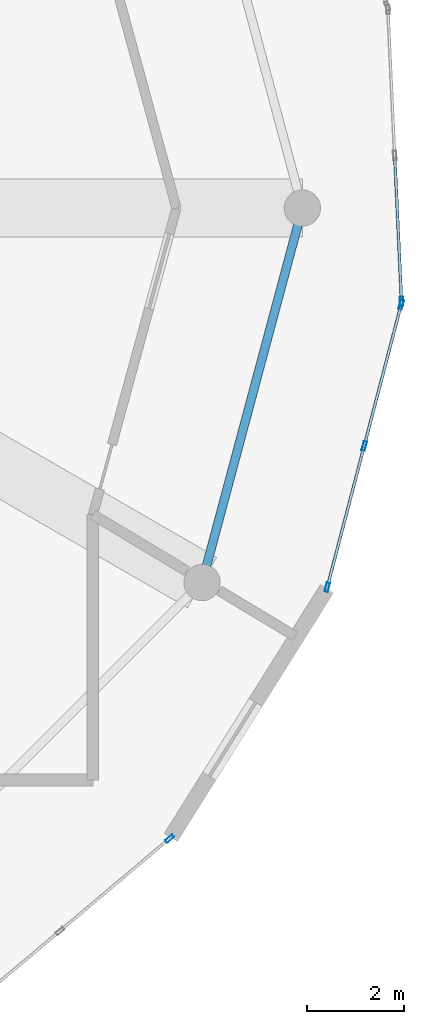
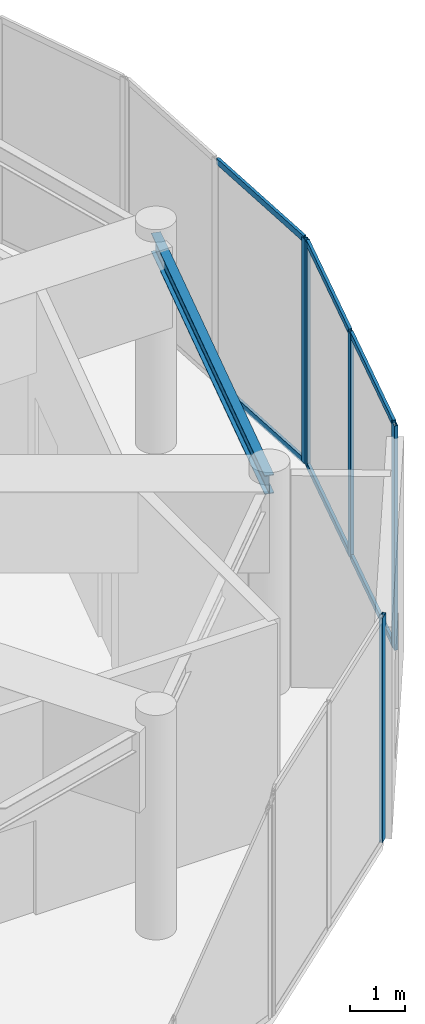
# One storey, part 12 of 20: 11 members, 1 beam, 3 elements without a shape of their own.
"""IFC4 building model written with IfcOpenShell, lengths in metres."""

from ifc_helpers import new_model, si_unit, direction, frame, origin, origin_2d, place, context, subcontext, project, spatial, hollow_rectangle, i_section, extrude, source, transform, mapped, material, layer, layer_set, material_profile, profile_set, type_object, element, aggregate, save


model = new_model("IFC4")

# Units and contexts
model_context = context("Model", 3, precision=1e-05, world=origin(), true_north=direction((0.0, 1.0)))
body_context = subcontext(model_context, "Body", "Model", "MODEL_VIEW")
ifc_project = project(units=[si_unit("LENGTHUNIT", "METRE"), si_unit("AREAUNIT", "SQUARE_METRE"), si_unit("VOLUMEUNIT", "CUBIC_METRE"), si_unit("PLANEANGLEUNIT", "RADIAN"), si_unit("MASSUNIT", "GRAM", prefix="KILO")], contexts=[model_context])

# Site, building, storey
site_placement = place(None, origin())
site = spatial("IfcSite", under=ifc_project, at=site_placement, CompositionType="ELEMENT")
building_placement = place(site_placement, origin())
building = spatial("IfcBuilding", under=site, at=building_placement, Name="Solvirekh Grand Hotel", CompositionType="ELEMENT")
storey_placement = place(building_placement, frame((0.0, 0.0, 297.199951171875)))
storey = spatial("IfcBuildingStorey", under=building, at=storey_placement, Name="L77", CompositionType="ELEMENT", Elevation=297.199951171875)

# Beam
ifc_material_1 = material(Name="Steel S355", Category="steel")
ifc_material_profile_1 = material_profile(ifc_material_1, i_section(OverallWidth=0.180908203125, OverallDepth=0.4169921875, WebThickness=0.010009765625, FlangeThickness=0.01611328125, FilletRadius=0.011962890625, at=origin_2d()), Name="W410X85")
ifc_profile_set_1 = profile_set([ifc_material_profile_1], Name="Steel S355")
beam_type = type_object("IfcBeamType", Name="Spandrel_Ring_W410", PredefinedType="SPANDREL", material=ifc_profile_set_1)
beam_placement = place(storey_placement, frame((13.3798828125, -7.72509765625, 4.470947265625), z_axis=(0.258834757072, 0.965921616143, 0.0), x_axis=(-0.965921616143, 0.258834757072, 0.0)))
element("IfcBeam", 1, at=beam_placement, inside=storey, type_object=beam_type, Name="L77 perimeter spandrel beam 12", PredefinedType="SPANDREL", context=body_context, shape_type="SweptSolid", body=[
    extrude(i_section(OverallWidth=0.180908203125, OverallDepth=0.4169921875, WebThickness=0.010009765625, FlangeThickness=0.01611328125, FilletRadius=0.011962890625, at=origin_2d()), origin(), (0.0, 0.0, 1.0), 7.99755859375),
])

# Curtain wall, member
ifc_material_2 = material(Name="Anodized Bronze Aluminium 6063-T6", Category="aluminium")
ifc_layer = layer(ifc_material_2, 0.18994140625)
ifc_layer_set = layer_set([ifc_layer], Name="Anodized Bronze Aluminium 6063-T6")
curtain_wall_type = type_object("IfcCurtainWallType", Name="CW_Sys5_SkyLobbyPanoramaCW", PredefinedType="NOTDEFINED", material=ifc_layer_set)
curtain_wall_1_placement = place(storey_placement, origin())
curtain_wall_1 = element("IfcCurtainWall", 2, at=curtain_wall_1_placement, inside=storey, type_object=curtain_wall_type, Name="L77 unitised bronze-glass curtain wall CW-L77-C03", PredefinedType="NOTDEFINED")
ifc_material_profile_2 = material_profile(ifc_material_2, hollow_rectangle(XDim=0.070068359375, YDim=0.18994140625, WallThickness=0.0048828125, at=origin_2d()), Name="ALU RHS 190X70X5")
ifc_profile_set_2 = profile_set([ifc_material_profile_2], Name="Anodized Bronze Aluminium 6063-T6")
member_type_1 = type_object("IfcMemberType", Name="CWMullion_Sys5", PredefinedType="MULLION", material=ifc_profile_set_2)
shared_shape_1 = source(origin(), body_context, "Body", "SweptSolid", [
    extrude(hollow_rectangle(XDim=0.070068359375, YDim=0.18994140625, WallThickness=0.0048828125, at=origin_2d()), origin(), (0.0, 0.0, 1.0), 5.0),
])
member_1_placement = place(storey_placement, frame((12.711181640625, -13.007568359375, 0.0), z_axis=(0.0, 0.0, 1.0), x_axis=(-0.644382723333, 0.764703148856, 0.0)))
member_1 = element("IfcMember", 3, at=member_1_placement, type_object=member_type_1, Name="U05 mullion 3", PredefinedType="MULLION", context=body_context, shape_type="MappedRepresentation", body=[
    mapped(shared_shape_1, transform((0.0, 0.0, 0.0), x_axis=(1.0, 0.0, 0.0), y_axis=(0.0, 1.0, 0.0), z_axis=(0.0, 0.0, 1.0), scale=1.0)),
])
aggregate(curtain_wall_1, [member_1])

# Curtain wall, members
curtain_wall_2_placement = place(storey_placement, origin())
curtain_wall_2 = element("IfcCurtainWall", 4, at=curtain_wall_2_placement, inside=storey, type_object=curtain_wall_type, Name="L77 unitised bronze-glass curtain wall CW-L77-C05", PredefinedType="NOTDEFINED")
member_2_placement = place(storey_placement, frame((15.9638671875, -7.8232421875, 0.0), z_axis=(0.0, 0.0, 1.0), x_axis=(-0.967470761088, 0.252982857998, 0.0)))
member_2 = element("IfcMember", 5, at=member_2_placement, type_object=member_type_1, Name="U05 mullion 1", PredefinedType="MULLION", context=body_context, shape_type="MappedRepresentation", body=[
    mapped(shared_shape_1, transform((0.0, 0.0, 0.0), x_axis=(1.0, 0.0, 0.0), y_axis=(0.0, 1.0, 0.0), z_axis=(0.0, 0.0, 1.0), scale=1.0)),
])
member_3_placement = place(storey_placement, frame((16.72607421875, -4.908447265625, 0.0), z_axis=(0.0, 0.0, 1.0), x_axis=(-0.967470761088, 0.252982857998, 0.0)))
member_3 = element("IfcMember", 6, at=member_3_placement, type_object=member_type_1, Name="U05 mullion 2", PredefinedType="MULLION", context=body_context, shape_type="MappedRepresentation", body=[
    mapped(shared_shape_1, transform((0.0, 0.0, 0.0), x_axis=(1.0, 0.0, 0.0), y_axis=(0.0, 1.0, 0.0), z_axis=(0.0, 0.0, 1.0), scale=1.0)),
])
member_4_placement = place(storey_placement, frame((17.488037109375, -1.993896484375, 0.0), z_axis=(0.0, 0.0, 1.0), x_axis=(-0.967470761088, 0.252982857998, 0.0)))
member_4 = element("IfcMember", 7, at=member_4_placement, type_object=member_type_1, Name="U05 mullion 3", PredefinedType="MULLION", context=body_context, shape_type="MappedRepresentation", body=[
    mapped(shared_shape_1, transform((0.0, 0.0, 0.0), x_axis=(1.0, 0.0, 0.0), y_axis=(0.0, 1.0, 0.0), z_axis=(0.0, 0.0, 1.0), scale=1.0)),
])

# Curtain wall, member
curtain_wall_3_placement = place(storey_placement, origin())
curtain_wall_3 = element("IfcCurtainWall", 8, at=curtain_wall_3_placement, inside=storey, type_object=curtain_wall_type, Name="L77 unitised bronze-glass curtain wall CW-L77-C06", PredefinedType="NOTDEFINED")
member_5_placement = place(storey_placement, frame((17.495361328125, -1.925048828125, 0.0), z_axis=(0.0, 0.0, 1.0), x_axis=(-0.998921679103, -0.046427136666, 0.0)))
member_5 = element("IfcMember", 9, at=member_5_placement, type_object=member_type_1, Name="U05 mullion 1", PredefinedType="MULLION", context=body_context, shape_type="MappedRepresentation", body=[
    mapped(shared_shape_1, transform((0.0, 0.0, 0.0), x_axis=(1.0, 0.0, 0.0), y_axis=(0.0, 1.0, 0.0), z_axis=(0.0, 0.0, 1.0), scale=1.0)),
])

# Member
ifc_material_profile_3 = material_profile(ifc_material_2, hollow_rectangle(XDim=0.06005859375, YDim=0.135009765625, WallThickness=0.00390625, at=origin_2d()), Name="ALU RHS 135X60X4")
ifc_profile_set_3 = profile_set([ifc_material_profile_3], Name="Anodized Bronze Aluminium 6063-T6")
member_type_2 = type_object("IfcMemberType", Name="CWTransom_Sys5", PredefinedType="USERDEFINED", material=ifc_profile_set_3)
shared_shape_2 = source(origin(), body_context, "Body", "SweptSolid", [
    extrude(hollow_rectangle(XDim=0.06005859375, YDim=0.135009765625, WallThickness=0.00390625, at=origin_2d()), origin(), (0.0, 0.0, 1.0), 2.942626953125),
])
member_6_placement = place(storey_placement, frame((15.97265625, -7.789306640625, 0.030029296875), z_axis=(0.252965619899, 0.967475268495, 0.0), x_axis=(-0.967475268495, 0.252965619899, 0.0)))
member_6 = element("IfcMember", 10, at=member_6_placement, type_object=member_type_2, Name="U05 transom 1.1", ObjectType="TRANSOM", PredefinedType="USERDEFINED", context=body_context, shape_type="MappedRepresentation", body=[
    mapped(shared_shape_2, transform((0.0, 0.0, 0.0), x_axis=(1.0, 0.0, 0.0), y_axis=(0.0, 1.0, 0.0), z_axis=(0.0, 0.0, 1.0), scale=1.0)),
])

member_7_placement = place(storey_placement, frame((15.97265625, -7.789306640625, 4.969970703125), z_axis=(0.252965619899, 0.967475268495, 0.0), x_axis=(-0.967475268495, 0.252965619899, 0.0)))
member_7 = element("IfcMember", 11, at=member_7_placement, type_object=member_type_2, Name="U05 transom 1.2", ObjectType="TRANSOM", PredefinedType="USERDEFINED", context=body_context, shape_type="MappedRepresentation", body=[
    mapped(shared_shape_2, transform((0.0, 0.0, 0.0), x_axis=(1.0, 0.0, 0.0), y_axis=(0.0, 1.0, 0.0), z_axis=(0.0, 0.0, 1.0), scale=1.0)),
])

member_8_placement = place(storey_placement, frame((16.73486328125, -4.874755859375, 0.030029296875), z_axis=(0.252965619899, 0.967475268495, 0.0), x_axis=(-0.967475268495, 0.252965619899, 0.0)))
member_8 = element("IfcMember", 12, at=member_8_placement, type_object=member_type_2, Name="U05 transom 2.1", ObjectType="TRANSOM", PredefinedType="USERDEFINED", context=body_context, shape_type="MappedRepresentation", body=[
    mapped(shared_shape_2, transform((0.0, 0.0, 0.0), x_axis=(1.0, 0.0, 0.0), y_axis=(0.0, 1.0, 0.0), z_axis=(0.0, 0.0, 1.0), scale=1.0)),
])

member_9_placement = place(storey_placement, frame((16.73486328125, -4.874755859375, 4.969970703125), z_axis=(0.252965619899, 0.967475268495, 0.0), x_axis=(-0.967475268495, 0.252965619899, 0.0)))
member_9 = element("IfcMember", 13, at=member_9_placement, type_object=member_type_2, Name="U05 transom 2.2", ObjectType="TRANSOM", PredefinedType="USERDEFINED", context=body_context, shape_type="MappedRepresentation", body=[
    mapped(shared_shape_2, transform((0.0, 0.0, 0.0), x_axis=(1.0, 0.0, 0.0), y_axis=(0.0, 1.0, 0.0), z_axis=(0.0, 0.0, 1.0), scale=1.0)),
])

aggregate(curtain_wall_2, [member_2, member_3, member_4, member_6, member_7, member_8, member_9])

shared_shape_3 = source(origin(), body_context, "Body", "SweptSolid", [
    extrude(hollow_rectangle(XDim=0.06005859375, YDim=0.135009765625, WallThickness=0.00390625, at=origin_2d()), origin(), (0.0, 0.0, 1.0), 2.94287109375),
])
member_10_placement = place(storey_placement, frame((17.49365234375, -1.89013671875, 0.030029296875), z_axis=(-0.046374767746, 0.99892411169, 0.0), x_axis=(-0.99892411169, -0.046374767746, 0.0)))
member_10 = element("IfcMember", 14, at=member_10_placement, type_object=member_type_2, Name="U05 transom 1.1", ObjectType="TRANSOM", PredefinedType="USERDEFINED", context=body_context, shape_type="MappedRepresentation", body=[
    mapped(shared_shape_3, transform((0.0, 0.0, 0.0), x_axis=(1.0, 0.0, 0.0), y_axis=(0.0, 1.0, 0.0), z_axis=(0.0, 0.0, 1.0), scale=1.0)),
])

member_11_placement = place(storey_placement, frame((17.49365234375, -1.89013671875, 4.969970703125), z_axis=(-0.046374767746, 0.99892411169, 0.0), x_axis=(-0.99892411169, -0.046374767746, 0.0)))
member_11 = element("IfcMember", 15, at=member_11_placement, type_object=member_type_2, Name="U05 transom 1.2", ObjectType="TRANSOM", PredefinedType="USERDEFINED", context=body_context, shape_type="MappedRepresentation", body=[
    mapped(shared_shape_3, transform((0.0, 0.0, 0.0), x_axis=(1.0, 0.0, 0.0), y_axis=(0.0, 1.0, 0.0), z_axis=(0.0, 0.0, 1.0), scale=1.0)),
])

aggregate(curtain_wall_3, [member_5, member_10, member_11])

save(model, "model.ifc")
